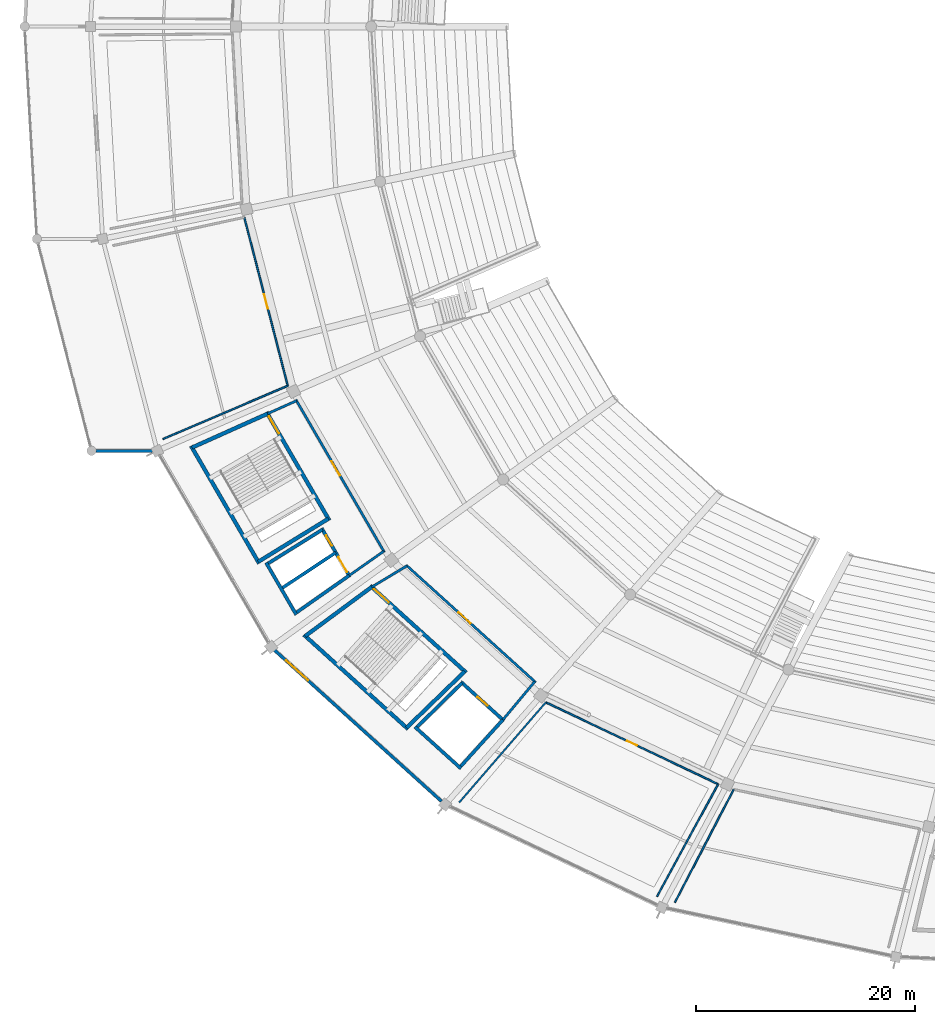
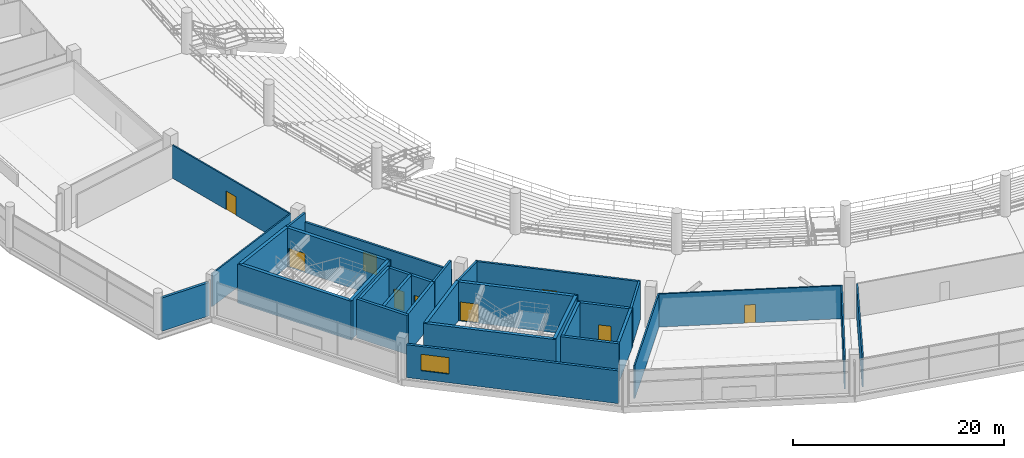
# One storey, part 101 of 156: 31 walls, 9 doors, 1 window, 10 openings.
"""IFC4 building model written with IfcOpenShell, lengths in metres."""

from ifc_helpers import new_model, si_unit, direction, frame, frame_2d, origin, place, context, subcontext, project, spatial, rectangle, extrude, material, layer, layer_set, type_object, element, fill, save


model = new_model("IFC4")

# Units and contexts
model_context = context("Model", 3, precision=1e-05, world=origin(), true_north=direction((0.0, 1.0)))
body_context = subcontext(model_context, "Body", "Model", "MODEL_VIEW")
ifc_project = project(units=[si_unit("LENGTHUNIT", "METRE"), si_unit("AREAUNIT", "SQUARE_METRE"), si_unit("VOLUMEUNIT", "CUBIC_METRE"), si_unit("PLANEANGLEUNIT", "RADIAN"), si_unit("MASSUNIT", "GRAM", prefix="KILO")], contexts=[model_context])

# Site, building, storey
site_placement = place(None, origin())
site = spatial("IfcSite", under=ifc_project, at=site_placement, CompositionType="ELEMENT")
building_placement = place(site_placement, origin())
building = spatial("IfcBuilding", under=site, at=building_placement, Name="Kazemori Nagisa Stadium", CompositionType="ELEMENT")
storey_placement = place(building_placement, frame((0.0, 0.0, 5.780029296875)))
storey = spatial("IfcBuildingStorey", under=building, at=storey_placement, Name="L01", CompositionType="ELEMENT", Elevation=5.780029296875)

# Wall, opening, door
ifc_material_1 = material(Name="Concrete C40/50 (Fc42)", Category="concrete")
ifc_layer_1 = layer(ifc_material_1, 0.35009765625, Name="Concrete C40/50 (Fc42)", Category="concrete")
ifc_layer_set_1 = layer_set([ifc_layer_1], Name="Concrete C40/50 (Fc42)")
wall_type_1 = type_object("IfcWallType", Name="Wall_W-CORE-350", PredefinedType="SHEAR", material=ifc_layer_set_1)
wall_1_placement = place(storey_placement, frame((44.090087890625, 66.78759765625, 0.0), z_axis=(0.0, 0.0, 1.0), x_axis=(0.501628624814, -0.865083072755, 0.0)))
wall_1 = element("IfcWall", 1, at=wall_1_placement, inside=storey, type_object=wall_type_1, Name="Core stair front shear wall ST09 L01", PredefinedType="SHEAR", context=body_context, shape_type="SweptSolid", body=[
    extrude(rectangle(XDim=11.435302734375, YDim=0.35009765625, at=frame_2d((5.7177734375, 0.0))), origin(), (0.0, 0.0, 1.0), 4.5),
])
opening_1_placement = place(wall_1_placement, frame((0.47509765625, 0.0, 0.0)))
opening_1 = element("IfcOpeningElement", 2, at=opening_1_placement, cuts=wall_1, Name="Opening D-ST-1800", PredefinedType="OPENING", context=body_context, shape_type="SweptSolid", body=[
    extrude(rectangle(XDim=1.800048828125, YDim=2.199951171875, at=frame_2d((0.89990234375, 1.10009765625))), frame((0.0, 0.18505859375, 0.0), z_axis=(0.0, -1.0, 0.0), x_axis=(1.0, 0.0, 0.0)), (0.0, 0.0, 1.0), 0.3701171875),
])
ifc_material_2 = material(Name="Galvanised steel sheet", Category="steel")
door_type_1 = type_object("IfcDoorType", Name="Door_D-ST-1800", OperationType="NOTDEFINED", PredefinedType="DOOR", material=ifc_material_2)
door_1_placement = place(opening_1_placement, frame((1.800048828125, 0.0, 0.0), z_axis=(0.0, 0.0, 1.0), x_axis=(-1.0, 0.0, 0.0)))
door_1 = element("IfcDoor", 3, at=door_1_placement, inside=storey, type_object=door_type_1, Name="Exit stair fire door ST09-L01", OperationType="SINGLE_SWING_RIGHT", OverallHeight=2.199951171875, OverallWidth=1.800048828125, PredefinedType="DOOR", context=body_context, shape_type="SweptSolid", body=[
    extrude(rectangle(XDim=1.800048828125, YDim=2.199951171875, at=frame_2d((0.89990234375, 1.10009765625))), frame((0.0, 0.02490234375, 0.0), z_axis=(0.0, -1.0, 0.0), x_axis=(1.0, 0.0, 0.0)), (0.0, 0.0, 1.0), 0.050048828125),
])
fill(opening_1, door_1)

# Walls
wall_2_placement = place(storey_placement, frame((37.19775390625, 63.6953125, 0.0), z_axis=(0.0, 0.0, 1.0), x_axis=(0.501601740165, -0.865098661577, 0.0)))
element("IfcWall", 4, at=wall_2_placement, inside=storey, type_object=wall_type_1, Name="Core stair rear shear wall ST09 L01", PredefinedType="SHEAR", context=body_context, shape_type="SweptSolid", body=[
    extrude(rectangle(XDim=12.404541015625, YDim=0.35009765625, at=frame_2d((6.2021484375, 0.0))), origin(), (0.0, 0.0, 1.0), 4.5),
])
wall_3_placement = place(storey_placement, frame((44.177978515625, 66.63623046875, 0.0), z_axis=(0.0, 0.0, 1.0), x_axis=(-0.912385324524, -0.409332407212, 0.0)))
element("IfcWall", 5, at=wall_3_placement, inside=storey, type_object=wall_type_1, Name="Core stair left shear wall ST09 L01", PredefinedType="SHEAR", context=body_context, shape_type="SweptSolid", body=[
    extrude(rectangle(XDim=7.554443359375, YDim=0.35009765625, at=frame_2d((3.77734375, 0.0))), origin(), (0.0, 0.0, 1.0), 4.5),
])
wall_4_placement = place(storey_placement, frame((49.738525390625, 57.04638671875, 0.0), z_axis=(0.0, 0.0, 1.0), x_axis=(-0.852334575619, -0.522996913188, 0.0)))
element("IfcWall", 6, at=wall_4_placement, inside=storey, type_object=wall_type_1, Name="Core stair right shear wall ST09 L01", PredefinedType="SHEAR", context=body_context, shape_type="SweptSolid", body=[
    extrude(rectangle(XDim=7.51611328125, YDim=0.35009765625, at=frame_2d((3.758056640625, 0.0))), origin(), (0.0, 0.0, 1.0), 4.5),
])

# Wall, opening, door
wall_5_placement = place(storey_placement, frame((53.561279296875, 50.927978515625, 0.0), z_axis=(0.0, 0.0, 1.0), x_axis=(0.741358227035, -0.671109513572, 0.0)))
wall_5 = element("IfcWall", 7, at=wall_5_placement, inside=storey, type_object=wall_type_1, Name="Core stair front shear wall ST03 L01", PredefinedType="SHEAR", context=body_context, shape_type="SweptSolid", body=[
    extrude(rectangle(XDim=11.82666015625, YDim=0.35009765625, at=frame_2d((5.913330078125, 0.0))), origin(), (0.0, 0.0, 1.0), 4.5),
])
opening_2_placement = place(wall_5_placement, frame((0.47509765625, 0.0, 0.0)))
opening_2 = element("IfcOpeningElement", 8, at=opening_2_placement, cuts=wall_5, Name="Opening D-ST-1800", PredefinedType="OPENING", context=body_context, shape_type="SweptSolid", body=[
    extrude(rectangle(XDim=1.800048828125, YDim=2.199951171875, at=frame_2d((0.89990234375, 1.10009765625))), frame((0.0, 0.18505859375, 0.0), z_axis=(0.0, -1.0, 0.0), x_axis=(1.0, 0.0, 0.0)), (0.0, 0.0, 1.0), 0.3701171875),
])
door_2_placement = place(opening_2_placement, frame((1.800048828125, 0.0, 0.0), z_axis=(0.0, 0.0, 1.0), x_axis=(-1.0, 0.0, 0.0)))
door_2 = element("IfcDoor", 9, at=door_2_placement, inside=storey, type_object=door_type_1, Name="Exit stair fire door ST03-L01", OperationType="SINGLE_SWING_RIGHT", OverallHeight=2.199951171875, OverallWidth=1.800048828125, PredefinedType="DOOR", context=body_context, shape_type="SweptSolid", body=[
    extrude(rectangle(XDim=1.800048828125, YDim=2.199951171875, at=frame_2d((0.89990234375, 1.10009765625))), frame((0.0, 0.02490234375, 0.0), z_axis=(0.0, -1.0, 0.0), x_axis=(1.0, 0.0, 0.0)), (0.0, 0.0, 1.0), 0.050048828125),
])
fill(opening_2, door_2)

# Walls
wall_6_placement = place(storey_placement, frame((47.500732421875, 46.451904296875, 0.0), z_axis=(0.0, 0.0, 1.0), x_axis=(0.741351373721, -0.671117084183, 0.0)))
element("IfcWall", 10, at=wall_6_placement, inside=storey, type_object=wall_type_1, Name="Core stair rear shear wall ST03 L01", PredefinedType="SHEAR", context=body_context, shape_type="SweptSolid", body=[
    extrude(rectangle(XDim=12.830322265625, YDim=0.35009765625, at=frame_2d((6.4150390625, 0.0))), origin(), (0.0, 0.0, 1.0), 4.5),
])
wall_7_placement = place(storey_placement, frame((53.691162109375, 50.810546875, 0.0), z_axis=(0.0, 0.0, 1.0), x_axis=(-0.804395625347, -0.594093997548, 0.0)))
element("IfcWall", 11, at=wall_7_placement, inside=storey, type_object=wall_type_1, Name="Core stair left shear wall ST03 L01", PredefinedType="SHEAR", context=body_context, shape_type="SweptSolid", body=[
    extrude(rectangle(XDim=7.5341796875, YDim=0.35009765625, at=frame_2d((3.76708984375, 0.0))), origin(), (0.0, 0.0, 1.0), 4.5),
])
wall_8_placement = place(storey_placement, frame((62.199462890625, 43.1083984375, 0.0), z_axis=(0.0, 0.0, 1.0), x_axis=(-0.718297398554, -0.69573619083, 0.0)))
element("IfcWall", 12, at=wall_8_placement, inside=storey, type_object=wall_type_1, Name="Core stair right shear wall ST03 L01", PredefinedType="SHEAR", context=body_context, shape_type="SweptSolid", body=[
    extrude(rectangle(XDim=7.40185546875, YDim=0.35009765625, at=frame_2d((3.700927734375, 0.0))), origin(), (0.0, 0.0, 1.0), 4.5),
])
ifc_material_3 = material(Name="Concrete C40/50 (Fc42) precast", Category="concrete")
ifc_layer_2 = layer(ifc_material_3, 0.27490234375, Name="Concrete C40/50 (Fc42) precast", Category="concrete")
ifc_layer_set_2 = layer_set([ifc_layer_2], Name="Concrete C40/50 (Fc42) precast")
wall_type_2 = type_object("IfcWallType", Name="Wall_W-EXT-275", PredefinedType="SOLIDWALL", material=ifc_layer_set_2)
wall_9_placement = place(storey_placement, frame((33.675048828125, 63.25048828125, 0.0), z_axis=(0.0, 0.0, 1.0), x_axis=(-1.0, 0.0, 0.0)))
element("IfcWall", 13, at=wall_9_placement, inside=storey, type_object=wall_type_2, Name="West grandstand return wall L01-S", PredefinedType="SOLIDWALL", context=body_context, shape_type="SweptSolid", body=[
    extrude(rectangle(XDim=5.179931640625, YDim=0.27490234375, at=frame_2d((2.58984375, 0.0))), origin(), (0.0, 0.0, 1.0), 3.849853515625),
])

# Wall, opening, window
wall_10_placement = place(storey_placement, frame((44.830810546875, 45.037109375, 0.0), z_axis=(0.0, 0.0, 1.0), x_axis=(0.741352367697, -0.671115986183, 0.0)))
wall_10 = element("IfcWall", 14, at=wall_10_placement, inside=storey, type_object=wall_type_2, Name="Exterior facade wall L01-18", PredefinedType="SOLIDWALL", context=body_context, shape_type="SweptSolid", body=[
    extrude(rectangle(XDim=20.56396484375, YDim=0.27490234375, at=frame_2d((10.281982421875, 0.0))), origin(), (0.0, 0.0, 1.0), 3.7978515625),
])
opening_3_placement = place(wall_10_placement, frame((1.39990234375, 0.0, 1.0)))
opening_3 = element("IfcOpeningElement", 15, at=opening_3_placement, cuts=wall_10, Name="Opening WIN-L01-2700", PredefinedType="OPENING", context=body_context, shape_type="SweptSolid", body=[
    extrude(rectangle(XDim=2.699951171875, YDim=1.89990234375, at=frame_2d((1.35009765625, 0.949951171875))), frame((0.0, 0.1474609375, 0.0), z_axis=(0.0, -1.0, 0.0), x_axis=(1.0, 0.0, 0.0)), (0.0, 0.0, 1.0), 0.294921875),
])
ifc_material_4 = material(Name="Low-e laminated double glazing", Category="glass")
window_type = type_object("IfcWindowType", Name="Window_WIN-L01-2700", PartitioningType="SINGLE_PANEL", PredefinedType="WINDOW", material=ifc_material_4)
window_placement = place(opening_3_placement, origin())
window = element("IfcWindow", 16, at=window_placement, inside=storey, type_object=window_type, Name="Core lobby window L01-18", OverallHeight=1.89990234375, OverallWidth=2.699951171875, PartitioningType="SINGLE_PANEL", PredefinedType="WINDOW", context=body_context, shape_type="SweptSolid", body=[
    extrude(rectangle(XDim=2.699951171875, YDim=1.89990234375, at=frame_2d((1.35009765625, 0.949951171875))), frame((0.0, 0.030029296875, 0.0), z_axis=(0.0, -1.0, 0.0), x_axis=(1.0, 0.0, 0.0)), (0.0, 0.0, 1.0), 0.06005859375),
])
fill(opening_3, window)

# Wall, opening, door
ifc_material_5 = material(Name="Concrete C36/45 (Fc36)", Category="concrete")
ifc_layer_3 = layer(ifc_material_5, 0.219970703125, Name="Concrete C36/45 (Fc36)", Category="concrete")
ifc_layer_set_3 = layer_set([ifc_layer_3], Name="Concrete C36/45 (Fc36)")
wall_type_3 = type_object("IfcWallType", Name="Wall_W-LOBBY-220", PredefinedType="SOLIDWALL", material=ifc_layer_set_3)
wall_11_placement = place(storey_placement, frame((46.773681640625, 67.9208984375, 0.0), z_axis=(0.0, 0.0, 1.0), x_axis=(0.501612626242, -0.865092349518, 0.0)))
wall_11 = element("IfcWall", 17, at=wall_11_placement, inside=storey, type_object=wall_type_3, Name="Core lobby fire wall ST09 L01", PredefinedType="SOLIDWALL", context=body_context, shape_type="SweptSolid", body=[
    extrude(rectangle(XDim=16.110107421875, YDim=0.219970703125, at=frame_2d((8.05517578125, 0.0))), origin(), (0.0, 0.0, 1.0), 3.447998046875),
])
opening_4_placement = place(wall_11_placement, frame((6.510986328125, 0.0, 0.0)))
opening_4 = element("IfcOpeningElement", 18, at=opening_4_placement, cuts=wall_11, Name="Opening D-FFL-1500", PredefinedType="OPENING", context=body_context, shape_type="SweptSolid", body=[
    extrude(rectangle(XDim=1.5, YDim=2.199951171875, at=frame_2d((0.75, 1.10009765625))), frame((0.0, 0.119873046875, 0.0), z_axis=(0.0, -1.0, 0.0), x_axis=(1.0, 0.0, 0.0)), (0.0, 0.0, 1.0), 0.239990234375),
])
door_type_2 = type_object("IfcDoorType", Name="Door_D-FFL-1500", OperationType="NOTDEFINED", PredefinedType="DOOR", material=ifc_material_2)
door_3_placement = place(opening_4_placement, frame((1.5, 0.0, 0.0), z_axis=(0.0, 0.0, 1.0), x_axis=(-1.0, 0.0, 0.0)))
door_3 = element("IfcDoor", 19, at=door_3_placement, inside=storey, type_object=door_type_2, Name="Protected lobby fire door ST09-L01", OperationType="DOUBLE_DOOR_SINGLE_SWING", OverallHeight=2.199951171875, OverallWidth=1.5, PredefinedType="DOOR", context=body_context, shape_type="SweptSolid", body=[
    extrude(rectangle(XDim=1.5, YDim=2.199951171875, at=frame_2d((0.75, 1.10009765625))), frame((0.0, 0.02490234375, 0.0), z_axis=(0.0, -1.0, 0.0), x_axis=(1.0, 0.0, 0.0)), (0.0, 0.0, 1.0), 0.050048828125),
])
fill(opening_4, door_3)

# Walls
wall_12_placement = place(storey_placement, frame((46.8291015625, 67.82568359375, 0.0), z_axis=(0.0, 0.0, 1.0), x_axis=(-0.912378422162, -0.409347791949, 0.0)))
element("IfcWall", 20, at=wall_12_placement, inside=storey, type_object=wall_type_3, Name="Core lobby left wall ST09 L01", PredefinedType="SOLIDWALL", context=body_context, shape_type="SweptSolid", body=[
    extrude(rectangle(XDim=2.90576171875, YDim=0.219970703125, at=frame_2d((1.452880859375, 0.0))), origin(), (0.0, 0.0, 1.0), 4.5),
])
wall_13_placement = place(storey_placement, frame((54.799560546875, 54.0791015625, 0.0), z_axis=(0.0, 0.0, 1.0), x_axis=(-0.818225400643, -0.574897550649, 0.0)))
element("IfcWall", 21, at=wall_13_placement, inside=storey, type_object=wall_type_3, Name="Core lobby right wall ST09 L01", PredefinedType="SOLIDWALL", context=body_context, shape_type="SweptSolid", body=[
    extrude(rectangle(XDim=3.867919921875, YDim=0.219970703125, at=frame_2d((1.93408203125, 0.0))), origin(), (0.0, 0.0, 1.0), 4.5),
])

# Wall, opening, door
wall_14_placement = place(storey_placement, frame((56.833740234375, 52.8193359375, 0.0), z_axis=(0.0, 0.0, 1.0), x_axis=(0.741351035574, -0.671117457717, 0.0)))
wall_14 = element("IfcWall", 22, at=wall_14_placement, inside=storey, type_object=wall_type_3, Name="Core lobby fire wall ST03 L01", PredefinedType="SOLIDWALL", context=body_context, shape_type="SweptSolid", body=[
    extrude(rectangle(XDim=15.96923828125, YDim=0.219970703125, at=frame_2d((7.984619140625, 0.0))), origin(), (0.0, 0.0, 1.0), 4.5),
])
opening_5_placement = place(wall_14_placement, frame((6.447021484375, 0.0, 0.0)))
opening_5 = element("IfcOpeningElement", 23, at=opening_5_placement, cuts=wall_14, Name="Opening D-FFL-1500", PredefinedType="OPENING", context=body_context, shape_type="SweptSolid", body=[
    extrude(rectangle(XDim=1.5, YDim=2.199951171875, at=frame_2d((0.75, 1.10009765625))), frame((0.0, 0.119873046875, 0.0), z_axis=(0.0, -1.0, 0.0), x_axis=(1.0, 0.0, 0.0)), (0.0, 0.0, 1.0), 0.239990234375),
])
door_4_placement = place(opening_5_placement, frame((1.5, 0.0, 0.0), z_axis=(0.0, 0.0, 1.0), x_axis=(-1.0, 0.0, 0.0)))
door_4 = element("IfcDoor", 24, at=door_4_placement, inside=storey, type_object=door_type_2, Name="Protected lobby fire door ST03-L01", OperationType="DOUBLE_DOOR_SINGLE_SWING", OverallHeight=2.199951171875, OverallWidth=1.5, PredefinedType="DOOR", context=body_context, shape_type="SweptSolid", body=[
    extrude(rectangle(XDim=1.5, YDim=2.199951171875, at=frame_2d((0.75, 1.10009765625))), frame((0.0, 0.02490234375, 0.0), z_axis=(0.0, -1.0, 0.0), x_axis=(1.0, 0.0, 0.0)), (0.0, 0.0, 1.0), 0.050048828125),
])
fill(opening_5, door_4)

# Walls
wall_15_placement = place(storey_placement, frame((56.915283203125, 52.74560546875, 0.0), z_axis=(0.0, 0.0, 1.0), x_axis=(-0.857424171966, -0.514610327654, 0.0)))
element("IfcWall", 25, at=wall_15_placement, inside=storey, type_object=wall_type_3, Name="Core lobby left wall ST03 L01", PredefinedType="SOLIDWALL", context=body_context, shape_type="SweptSolid", body=[
    extrude(rectangle(XDim=3.76025390625, YDim=0.219970703125, at=frame_2d((1.880126953125, 0.0))), origin(), (0.0, 0.0, 1.0), 4.5),
])
wall_16_placement = place(storey_placement, frame((68.591064453125, 42.176025390625, 0.0), z_axis=(0.0, 0.0, 1.0), x_axis=(-0.640759627034, -0.767741558315, 0.0)))
element("IfcWall", 26, at=wall_16_placement, inside=storey, type_object=wall_type_3, Name="Core lobby right wall ST03 L01", PredefinedType="SOLIDWALL", context=body_context, shape_type="SweptSolid", body=[
    extrude(rectangle(XDim=4.549072265625, YDim=0.219970703125, at=frame_2d((2.2744140625, 0.0))), origin(), (0.0, 0.0, 1.0), 4.5),
])

# Wall, opening, door
ifc_material_6 = material(Name="Moisture-resistant gypsum board", Category="gypsum")
ifc_layer_4 = layer(ifc_material_6, 0.14990234375, Name="Moisture-resistant gypsum board", Category="gypsum")
ifc_layer_set_4 = layer_set([ifc_layer_4], Name="Moisture-resistant gypsum board")
wall_type_4 = type_object("IfcWallType", Name="Wall_W-PART-150", PredefinedType="PARTITIONING", material=ifc_layer_set_4)
wall_17_placement = place(storey_placement, frame((42.0595703125, 84.571533203125, 0.0), z_axis=(0.0, 0.0, 1.0), x_axis=(0.249970043824, -0.968253570709, 0.0)))
wall_17 = element("IfcWall", 27, at=wall_17_placement, inside=storey, type_object=wall_type_4, Name="Room corridor partition L01-B16", PredefinedType="PARTITIONING", context=body_context, shape_type="SweptSolid", body=[
    extrude(rectangle(XDim=15.88671875, YDim=0.14990234375, at=frame_2d((7.943359375, 0.0))), origin(), (0.0, 0.0, 1.0), 3.820068359375),
])
opening_6_placement = place(wall_17_placement, frame((7.26806640625, 0.0, 0.0)))
opening_6 = element("IfcOpeningElement", 28, at=opening_6_placement, cuts=wall_17, Name="Opening D-CON-1350", PredefinedType="OPENING", context=body_context, shape_type="SweptSolid", body=[
    extrude(rectangle(XDim=1.35009765625, YDim=2.14990234375, at=frame_2d((0.675048828125, 1.074951171875))), frame((0.0, 0.0849609375, 0.0), z_axis=(0.0, -1.0, 0.0), x_axis=(1.0, 0.0, 0.0)), (0.0, 0.0, 1.0), 0.169921875),
])
ifc_material_7 = material(Name="Anodised aluminium 6063-T5", Category="aluminium")
door_type_3 = type_object("IfcDoorType", Name="Door_D-CON-1350", OperationType="NOTDEFINED", PredefinedType="DOOR", material=ifc_material_7)
door_5_placement = place(opening_6_placement, origin())
door_5 = element("IfcDoor", 29, at=door_5_placement, inside=storey, type_object=door_type_3, Name="Room entrance door D-CON-1350 L01-B16", OperationType="SINGLE_SWING_RIGHT", OverallHeight=2.14990234375, OverallWidth=1.35009765625, PredefinedType="DOOR", context=body_context, shape_type="SweptSolid", body=[
    extrude(rectangle(XDim=1.35009765625, YDim=2.14990234375, at=frame_2d((0.675048828125, 1.074951171875))), frame((0.0, 0.02490234375, 0.0), z_axis=(0.0, -1.0, 0.0), x_axis=(1.0, 0.0, 0.0)), (0.0, 0.0, 1.0), 0.050048828125),
])
fill(opening_6, door_5)

# Wall
wall_18_placement = place(storey_placement, frame((46.03076171875, 69.189208984375, 0.0), z_axis=(0.0, 0.0, 1.0), x_axis=(-0.919905328402, -0.392140519173, 0.0)))
element("IfcWall", 30, at=wall_18_placement, inside=storey, type_object=wall_type_4, Name="Room radial partition L01-B16-R", PredefinedType="PARTITIONING", context=body_context, shape_type="SweptSolid", body=[
    extrude(rectangle(XDim=12.395751953125, YDim=0.14990234375, at=frame_2d((6.19775390625, 0.0))), origin(), (0.0, 0.0, 1.0), 3.820068359375),
])

# Wall, opening, door
wall_19_placement = place(storey_placement, frame((69.599365234375, 40.280029296875, 0.0), z_axis=(0.0, 0.0, 1.0), x_axis=(0.903217202186, -0.429183743488, 0.0)))
wall_19 = element("IfcWall", 31, at=wall_19_placement, inside=storey, type_object=wall_type_4, Name="Room corridor partition L01-B19", PredefinedType="PARTITIONING", context=body_context, shape_type="SweptSolid", body=[
    extrude(rectangle(XDim=17.419189453125, YDim=0.14990234375, at=frame_2d((8.70947265625, 0.0))), origin(), (0.0, 0.0, 1.0), 3.820068359375),
])
opening_7_placement = place(wall_19_placement, frame((8.199951171875, 0.0, 0.0)))
opening_7 = element("IfcOpeningElement", 32, at=opening_7_placement, cuts=wall_19, Name="Opening D-STR-1020", PredefinedType="OPENING", context=body_context, shape_type="SweptSolid", body=[
    extrude(rectangle(XDim=1.02001953125, YDim=2.10009765625, at=frame_2d((0.510009765625, 1.050048828125))), frame((0.0, 0.0849609375, 0.0), z_axis=(0.0, -1.0, 0.0), x_axis=(1.0, 0.0, 0.0)), (0.0, 0.0, 1.0), 0.169921875),
])
ifc_material_8 = material(Name="Powder-coated steel sheet", Category="steel")
door_type_4 = type_object("IfcDoorType", Name="Door_D-STR-1020", OperationType="NOTDEFINED", PredefinedType="DOOR", material=ifc_material_8)
door_6_placement = place(opening_7_placement, origin())
door_6 = element("IfcDoor", 33, at=door_6_placement, inside=storey, type_object=door_type_4, Name="Room entrance door D-STR-1020 L01-B19", OperationType="SINGLE_SWING_LEFT", OverallHeight=2.10009765625, OverallWidth=1.02001953125, PredefinedType="DOOR", context=body_context, shape_type="SweptSolid", body=[
    extrude(rectangle(XDim=1.02001953125, YDim=2.10009765625, at=frame_2d((0.510009765625, 1.050048828125))), frame((0.0, 0.02490234375, 0.0), z_axis=(0.0, -1.0, 0.0), x_axis=(1.0, 0.0, 0.0)), (0.0, 0.0, 1.0), 0.050048828125),
])
fill(opening_7, door_6)

# Walls
wall_20_placement = place(storey_placement, frame((69.599365234375, 40.280029296875, 0.0), z_axis=(0.0, 0.0, 1.0), x_axis=(-0.654293035882, -0.756241114458, 0.0)))
element("IfcWall", 34, at=wall_20_placement, inside=storey, type_object=wall_type_4, Name="Room radial partition L01-B19-L", PredefinedType="PARTITIONING", context=body_context, shape_type="SweptSolid", body=[
    extrude(rectangle(XDim=12.091064453125, YDim=0.14990234375, at=frame_2d((6.04541015625, 0.0))), origin(), (0.0, 0.0, 1.0), 3.820068359375),
])
wall_21_placement = place(storey_placement, frame((85.332763671875, 32.803955078125, 0.0), z_axis=(0.0, 0.0, 1.0), x_axis=(-0.478125060974, -0.878291765912, 0.0)))
element("IfcWall", 35, at=wall_21_placement, inside=storey, type_object=wall_type_4, Name="Room radial partition L01-B19-R", PredefinedType="PARTITIONING", context=body_context, shape_type="SweptSolid", body=[
    extrude(rectangle(XDim=11.671875, YDim=0.14990234375, at=frame_2d((5.8359375, 0.0))), origin(), (0.0, 0.0, 1.0), 3.820068359375),
])
wall_22_placement = place(storey_placement, frame((86.755615234375, 32.322509765625, 0.0), z_axis=(0.0, 0.0, 1.0), x_axis=(-0.46148287956, -0.88714911479, 0.0)))
element("IfcWall", 36, at=wall_22_placement, inside=storey, type_object=wall_type_4, Name="Room radial partition L01-B20-L", PredefinedType="PARTITIONING", context=body_context, shape_type="SweptSolid", body=[
    extrude(rectangle(XDim=11.635498046875, YDim=0.14990234375, at=frame_2d((5.81787109375, 0.0))), origin(), (0.0, 0.0, 1.0), 3.820068359375),
])

# Wall, openings, doors
ifc_layer_5 = layer(ifc_material_1, 0.300048828125, Name="Concrete C40/50 (Fc42)", Category="concrete")
ifc_layer_set_5 = layer_set([ifc_layer_5], Name="Concrete C40/50 (Fc42)")
wall_type_5 = type_object("IfcWallType", Name="Wall_W-SHAFT-300", PredefinedType="SHEAR", material=ifc_layer_set_5)
wall_23_placement = place(storey_placement, frame((49.123046875, 56.1875, 0.0), z_axis=(0.0, 0.0, 1.0), x_axis=(0.501629534056, -0.86508254552, 0.0)))
wall_23 = element("IfcWall", 37, at=wall_23_placement, inside=storey, type_object=wall_type_5, Name="Lift shaft front wall LP7 L01", PredefinedType="SHEAR", context=body_context, shape_type="SweptSolid", body=[
    extrude(rectangle(XDim=5.157470703125, YDim=0.300048828125, at=frame_2d((2.57861328125, 0.0))), origin(), (0.0, 0.0, 1.0), 4.5),
])
opening_8_placement = place(wall_23_placement, frame((0.76611328125, 0.0, 0.0)))
opening_8 = element("IfcOpeningElement", 38, at=opening_8_placement, cuts=wall_23, Name="Opening LD-PAX", PredefinedType="OPENING", context=body_context, shape_type="SweptSolid", body=[
    extrude(rectangle(XDim=1.10009765625, YDim=2.199951171875, at=frame_2d((0.550048828125, 1.10009765625))), frame((0.0, 0.159912109375, 0.0), z_axis=(0.0, -1.0, 0.0), x_axis=(1.0, 0.0, 0.0)), (0.0, 0.0, 1.0), 0.320068359375),
])
opening_9_placement = place(wall_23_placement, frame((3.0419921875, 0.0, 0.0)))
opening_9 = element("IfcOpeningElement", 39, at=opening_9_placement, cuts=wall_23, Name="Opening LD-GDS", PredefinedType="OPENING", context=body_context, shape_type="SweptSolid", body=[
    extrude(rectangle(XDim=1.60009765625, YDim=2.300048828125, at=frame_2d((0.800048828125, 1.14990234375))), frame((0.0, 0.159912109375, 0.0), z_axis=(0.0, -1.0, 0.0), x_axis=(1.0, 0.0, 0.0)), (0.0, 0.0, 1.0), 0.320068359375),
])
ifc_material_9 = material(Name="Stainless steel SUS304", Category="steel")
door_type_5 = type_object("IfcDoorType", Name="Door_LD-GDS", OperationType="SLIDING_TO_LEFT", PredefinedType="DOOR", material=ifc_material_9)
door_7_placement = place(opening_9_placement, origin())
door_7 = element("IfcDoor", 40, at=door_7_placement, inside=storey, type_object=door_type_5, Name="Lift landing door LG2-L01", OperationType="SLIDING_TO_LEFT", OverallHeight=2.300048828125, OverallWidth=1.60009765625, PredefinedType="DOOR", context=body_context, shape_type="SweptSolid", body=[
    extrude(rectangle(XDim=1.60009765625, YDim=2.300048828125, at=frame_2d((0.800048828125, 1.14990234375))), frame((0.0, 0.02490234375, 0.0), z_axis=(0.0, -1.0, 0.0), x_axis=(1.0, 0.0, 0.0)), (0.0, 0.0, 1.0), 0.050048828125),
])
fill(opening_9, door_7)
door_type_6 = type_object("IfcDoorType", Name="Door_LD-PAX", OperationType="SLIDING_TO_RIGHT", PredefinedType="DOOR", material=ifc_material_9)
door_8_placement = place(opening_8_placement, origin())
door_8 = element("IfcDoor", 41, at=door_8_placement, inside=storey, type_object=door_type_6, Name="Lift landing door LP7-L01", OperationType="SLIDING_TO_RIGHT", OverallHeight=2.199951171875, OverallWidth=1.10009765625, PredefinedType="DOOR", context=body_context, shape_type="SweptSolid", body=[
    extrude(rectangle(XDim=1.10009765625, YDim=2.199951171875, at=frame_2d((0.550048828125, 1.10009765625))), frame((0.0, 0.02490234375, 0.0), z_axis=(0.0, -1.0, 0.0), x_axis=(1.0, 0.0, 0.0)), (0.0, 0.0, 1.0), 0.050048828125),
])
fill(opening_8, door_8)

# Walls
wall_24_placement = place(storey_placement, frame((44.05029296875, 53.029541015625, 0.0), z_axis=(0.0, 0.0, 1.0), x_axis=(0.501596987756, -0.865101417103, 0.0)))
element("IfcWall", 42, at=wall_24_placement, inside=storey, type_object=wall_type_5, Name="Lift shaft B wall LP7 L01", PredefinedType="SHEAR", context=body_context, shape_type="SweptSolid", body=[
    extrude(rectangle(XDim=5.4912109375, YDim=0.300048828125, at=frame_2d((2.74560546875, 0.0))), origin(), (0.0, 0.0, 1.0), 4.5),
])
wall_25_placement = place(storey_placement, frame((49.1982421875, 56.0576171875, 0.0), z_axis=(0.0, 0.0, 1.0), x_axis=(-0.848938067893, -0.528492343257, 0.0)))
element("IfcWall", 43, at=wall_25_placement, inside=storey, type_object=wall_type_5, Name="Lift shaft L wall LP7 L01", PredefinedType="SHEAR", context=body_context, shape_type="SweptSolid", body=[
    extrude(rectangle(XDim=5.975341796875, YDim=0.300048828125, at=frame_2d((2.98779296875, 0.0))), origin(), (0.0, 0.0, 1.0), 4.5),
])
wall_26_placement = place(storey_placement, frame((51.634765625, 51.85546875, 0.0), z_axis=(0.0, 0.0, 1.0), x_axis=(-0.818205158105, -0.574926359851, 0.0)))
element("IfcWall", 44, at=wall_26_placement, inside=storey, type_object=wall_type_5, Name="Lift shaft R wall LP7 L01", PredefinedType="SHEAR", context=body_context, shape_type="SweptSolid", body=[
    extrude(rectangle(XDim=5.9951171875, YDim=0.300048828125, at=frame_2d((2.99755859375, 0.0))), origin(), (0.0, 0.0, 1.0), 4.5),
])
wall_27_placement = place(storey_placement, frame((50.41650390625, 53.95654296875, 0.0), z_axis=(0.0, 0.0, 1.0), x_axis=(-0.833878900042, -0.551947443209, 0.0)))
element("IfcWall", 45, at=wall_27_placement, inside=storey, type_object=wall_type_5, Name="Lift shaft divider wall LP7-LG2 L01", PredefinedType="SHEAR", context=body_context, shape_type="SweptSolid", body=[
    extrude(rectangle(XDim=5.98291015625, YDim=0.300048828125, at=frame_2d((2.991455078125, 0.0))), origin(), (0.0, 0.0, 1.0), 4.5),
])

# Wall, opening, door
wall_28_placement = place(storey_placement, frame((61.8369140625, 42.159423828125, 0.0), z_axis=(0.0, 0.0, 1.0), x_axis=(0.741350155641, -0.671118429736, 0.0)))
wall_28 = element("IfcWall", 46, at=wall_28_placement, inside=storey, type_object=wall_type_5, Name="Lift shaft front wall FL3 L01", PredefinedType="SHEAR", context=body_context, shape_type="SweptSolid", body=[
    extrude(rectangle(XDim=5.3291015625, YDim=0.300048828125, at=frame_2d((2.66455078125, 0.0))), origin(), (0.0, 0.0, 1.0), 4.5),
])
opening_10_placement = place(wall_28_placement, frame((2.06494140625, 0.0, 0.0)))
opening_10 = element("IfcOpeningElement", 47, at=opening_10_placement, cuts=wall_28, Name="Opening LD-FF", PredefinedType="OPENING", context=body_context, shape_type="SweptSolid", body=[
    extrude(rectangle(XDim=1.199951171875, YDim=2.199951171875, at=frame_2d((0.60009765625, 1.10009765625))), frame((0.0, 0.159912109375, 0.0), z_axis=(0.0, -1.0, 0.0), x_axis=(1.0, 0.0, 0.0)), (0.0, 0.0, 1.0), 0.320068359375),
])
door_type_7 = type_object("IfcDoorType", Name="Door_LD-FF", OperationType="SLIDING_TO_LEFT", PredefinedType="DOOR", material=ifc_material_9)
door_9_placement = place(opening_10_placement, origin())
door_9 = element("IfcDoor", 48, at=door_9_placement, inside=storey, type_object=door_type_7, Name="Lift landing door FL3-L01", OperationType="SLIDING_TO_LEFT", OverallHeight=2.199951171875, OverallWidth=1.199951171875, PredefinedType="DOOR", context=body_context, shape_type="SweptSolid", body=[
    extrude(rectangle(XDim=1.199951171875, YDim=2.199951171875, at=frame_2d((0.60009765625, 1.10009765625))), frame((0.0, 0.02490234375, 0.0), z_axis=(0.0, -1.0, 0.0), x_axis=(1.0, 0.0, 0.0)), (0.0, 0.0, 1.0), 0.050048828125),
])
fill(opening_10, door_9)

# Walls
wall_29_placement = place(storey_placement, frame((57.640380859375, 38.039306640625, 0.0), z_axis=(0.0, 0.0, 1.0), x_axis=(0.74134208775, -0.671127341815, 0.0)))
element("IfcWall", 49, at=wall_29_placement, inside=storey, type_object=wall_type_5, Name="Lift shaft B wall FL3 L01", PredefinedType="SHEAR", context=body_context, shape_type="SweptSolid", body=[
    extrude(rectangle(XDim=5.674560546875, YDim=0.300048828125, at=frame_2d((2.83740234375, 0.0))), origin(), (0.0, 0.0, 1.0), 4.5),
])
wall_30_placement = place(storey_placement, frame((61.947998046875, 42.058837890625, 0.0), z_axis=(0.0, 0.0, 1.0), x_axis=(-0.713553028001, -0.700601224828, 0.0)))
element("IfcWall", 50, at=wall_30_placement, inside=storey, type_object=wall_type_5, Name="Lift shaft L wall FL3 L01", PredefinedType="SHEAR", context=body_context, shape_type="SweptSolid", body=[
    extrude(rectangle(XDim=5.881103515625, YDim=0.300048828125, at=frame_2d((2.9404296875, 0.0))), origin(), (0.0, 0.0, 1.0), 4.5),
])
wall_31_placement = place(storey_placement, frame((65.67626953125, 38.68359375, 0.0), z_axis=(0.0, 0.0, 1.0), x_axis=(-0.67115829282, -0.741314067031, 0.0)))
element("IfcWall", 51, at=wall_31_placement, inside=storey, type_object=wall_type_5, Name="Lift shaft R wall FL3 L01", PredefinedType="SHEAR", context=body_context, shape_type="SweptSolid", body=[
    extrude(rectangle(XDim=5.87060546875, YDim=0.300048828125, at=frame_2d((2.935302734375, 0.0))), origin(), (0.0, 0.0, 1.0), 4.5),
])

save(model, "model.ifc")
